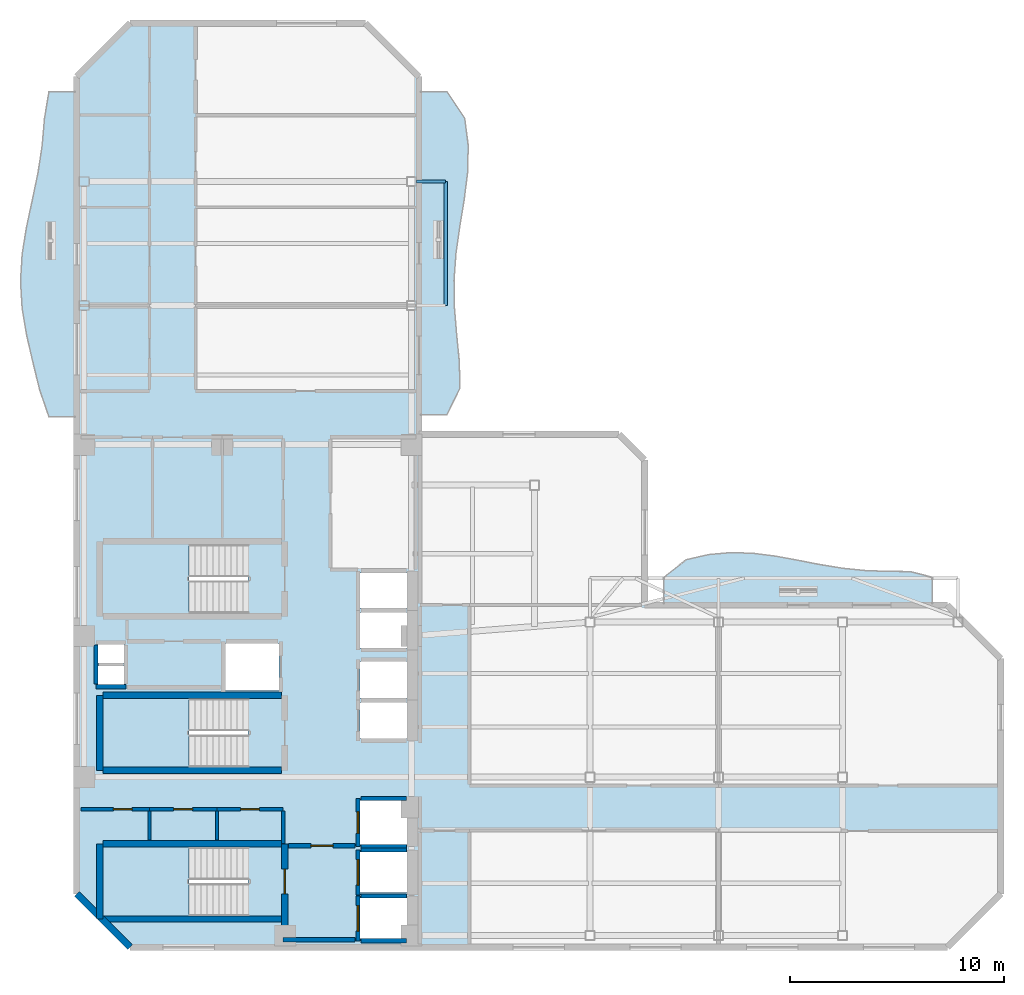
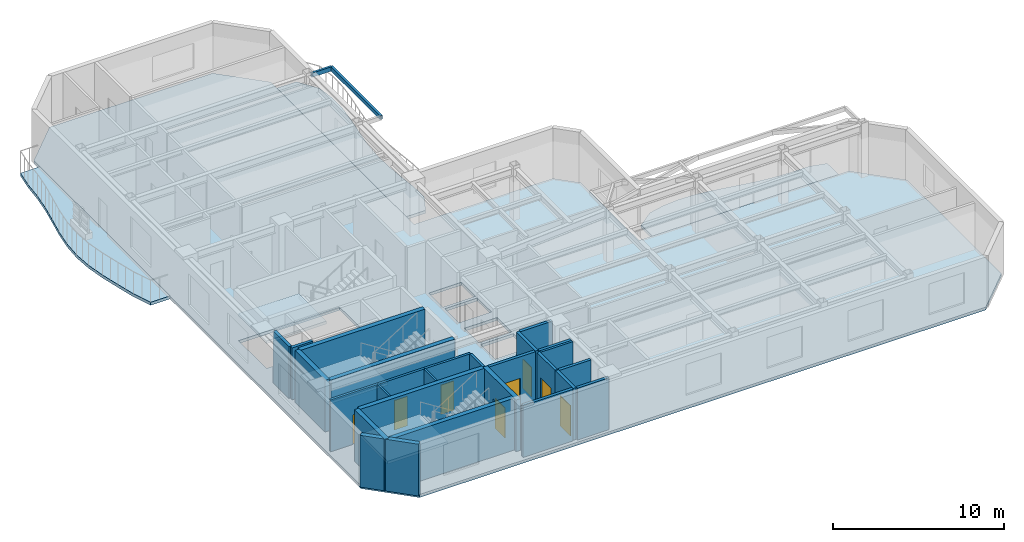
# One storey, part 2 of 8: 26 walls, 8 doors, 7 slabs, 2 beams, 8 openings, 3 elements without a shape of their own.
"""IFC4 building model written with IfcOpenShell, lengths in metres."""

from ifc_helpers import new_model, si_unit, direction, frame, frame_2d, origin, origin_2d, place, context, subcontext, project, spatial, polyline, rectangle, hollow_rectangle, outline, extrude, material, layer, layer_set, material_profile, profile_set, type_object, element, fill, aggregate, save


model = new_model("IFC4")

# Units and contexts
model_context = context("Model", 3, precision=1e-05, world=origin(), true_north=direction((0.0, 1.0)))
body_context = subcontext(model_context, "Body", "Model", "MODEL_VIEW")
ifc_project = project(units=[si_unit("LENGTHUNIT", "METRE"), si_unit("AREAUNIT", "SQUARE_METRE"), si_unit("VOLUMEUNIT", "CUBIC_METRE"), si_unit("PLANEANGLEUNIT", "RADIAN"), si_unit("MASSUNIT", "GRAM", prefix="KILO")], contexts=[model_context])

# Site, building, storey
site_placement = place(None, origin())
site = spatial("IfcSite", under=ifc_project, at=site_placement, CompositionType="ELEMENT")
building_placement = place(site_placement, origin())
building = spatial("IfcBuilding", under=site, at=building_placement, Name="Mawjaban Terraces University", CompositionType="ELEMENT")
storey_placement = place(building_placement, frame((0.0, 0.0, 191.39990234375)))
storey = spatial("IfcBuildingStorey", under=building, at=storey_placement, Name="L46", CompositionType="ELEMENT", Elevation=191.39990234375)

# Beams
ifc_material_1 = material(Name="Steel EN 10210-1 S355J2H", Category="steel")
ifc_material_profile = material_profile(ifc_material_1, hollow_rectangle(XDim=0.14990234375, YDim=0.300048828125, WallThickness=0.012451171875, at=origin_2d()), Name="RHS300X150X12.5")
ifc_profile_set = profile_set([ifc_material_profile], Name="Steel EN 10210-1 S355J2H")
beam_type = type_object("IfcBeamType", Name="BalconyCantileverSpandrel_RHS", PredefinedType="SPANDREL", material=ifc_profile_set)
beam_1_placement = place(storey_placement, frame((37.875, 35.800048828125, 3.5400390625), z_axis=(1.0, 0.0, 0.0), x_axis=(0.0, 1.0, 0.0)))
element("IfcBeam", 1, at=beam_1_placement, inside=storey, type_object=beam_type, Name="L46 Exterior Outrigger BAL-L47-E.2", PredefinedType="SPANDREL", context=body_context, shape_type="SweptSolid", body=[
    extrude(hollow_rectangle(XDim=0.14990234375, YDim=0.300048828125, WallThickness=0.012451171875, at=origin_2d()), origin(), (0.0, 0.0, 1.0), 1.375),
])
beam_2_placement = place(storey_placement, frame((39.25, 30.0, 3.5400390625), z_axis=(0.0, 1.0, 0.0), x_axis=(-1.0, 0.0, 0.0)))
element("IfcBeam", 2, at=beam_2_placement, inside=storey, type_object=beam_type, Name="L46 Exterior Edge Spandrel BAL-L47-E", PredefinedType="SPANDREL", context=body_context, shape_type="SweptSolid", body=[
    extrude(hollow_rectangle(XDim=0.14990234375, YDim=0.300048828125, WallThickness=0.012451171875, at=origin_2d()), origin(), (0.0, 0.0, 1.0), 5.800048828125),
])

# Slabs
ifc_material_2 = material(Name="Concrete C40/50", Category="concrete")
ifc_layer_1 = layer(ifc_material_2, 0.2099609375)
ifc_layer_set_1 = layer_set([ifc_layer_1], Name="Concrete C40/50")
slab_type_1 = type_object("IfcSlabType", Name="BalconySlab_210_Ext", PredefinedType="FLOOR", material=ifc_layer_set_1)
slab_1_placement = place(storey_placement, frame((0.0, 0.0, -0.2099609375)))
element("IfcSlab", 3, at=slab_1_placement, inside=storey, type_object=slab_type_1, Name="L46 Planted Balcony Slab west", PredefinedType="FLOOR", context=body_context, shape_type="SweptSolid", body=[
    extrude(outline(polyline([(22.010009765625, 24.800048828125), (22.010009765625, 40.0), (20.699951171875, 40.0), (20.489990234375, 38.73291015625), (20.382080078125, 37.467041015625), (20.18701171875, 36.199951171875), (19.923095703125, 34.93310546875), (19.65087890625, 33.6669921875), (19.447021484375, 32.39990234375), (19.37109375, 31.133056640625), (19.447998046875, 29.866943359375), (19.660888671875, 28.60009765625), (19.955078125, 27.3330078125), (20.263916015625, 26.06689453125), (20.699951171875, 24.800048828125), (22.010009765625, 24.800048828125)])), origin(), (0.0, 0.0, 1.0), 0.2099609375),
])
slab_2_placement = place(storey_placement, frame((0.0, 0.0, -0.2099609375)))
element("IfcSlab", 4, at=slab_2_placement, inside=storey, type_object=slab_type_1, Name="L46 Planted Balcony Slab inner_north", PredefinedType="FLOOR", context=body_context, shape_type="SweptSolid", body=[
    extrude(outline(polyline([(49.449951171875, 15.989990234375), (62.0, 15.989990234375), (62.0, 17.300048828125), (60.9541015625, 17.56396484375), (59.907958984375, 17.571044921875), (58.862060546875, 17.611083984375), (57.81689453125, 17.717041015625), (56.77099609375, 17.885986328125), (55.72509765625, 18.089111328125), (54.678955078125, 18.282958984375), (53.633056640625, 18.4169921875), (52.587890625, 18.451904296875), (51.5419921875, 18.35888671875), (50.49609375, 18.118896484375), (49.449951171875, 17.300048828125), (49.449951171875, 15.989990234375)])), origin(), (0.0, 0.0, 1.0), 0.2099609375),
])
slab_3_placement = place(storey_placement, frame((0.0, 0.0, -0.2099609375)))
element("IfcSlab", 5, at=slab_3_placement, inside=storey, type_object=slab_type_1, Name="L46 Planted Balcony Slab inner_east", PredefinedType="FLOOR", context=body_context, shape_type="SweptSolid", body=[
    extrude(outline(polyline([(39.300048828125, 24.887939453125), (39.916015625, 26.14697265625), (39.882080078125, 27.406982421875), (39.759033203125, 28.666015625), (39.655029296875, 29.925048828125), (39.636962890625, 31.18505859375), (39.72900390625, 32.444091796875), (39.908935546875, 33.702880859375), (40.115966796875, 34.962890625), (40.27197265625, 36.221923828125), (40.300048828125, 37.48095703125), (40.14111328125, 38.740966796875), (39.300048828125, 40.0), (37.989990234375, 40.0), (37.989990234375, 24.887939453125), (39.300048828125, 24.887939453125)])), origin(), (0.0, 0.0, 1.0), 0.2099609375),
])
ifc_layer_2 = layer(ifc_material_2, 0.2099609375)
ifc_layer_set_2 = layer_set([ifc_layer_2], Name="Concrete C40/50")
slab_type_2 = type_object("IfcSlabType", Name="CompositeSlab_210", PredefinedType="FLOOR", material=ifc_layer_set_2)
slab_4_placement = place(storey_placement, frame((0.0, 0.0, -0.2099609375)))
element("IfcSlab", 6, at=slab_4_placement, inside=storey, type_object=slab_type_2, Name="L46 Primary Structural Slab", PredefinedType="FLOOR", context=body_context, shape_type="SweptSolid", body=[
    extrude(outline(polyline([(24.5, 0.0), (62.699951171875, 0.0), (65.199951171875, 2.5), (65.199951171875, 13.5), (62.699951171875, 16.0), (48.550048828125, 16.0), (48.550048828125, 22.7880859375), (47.35009765625, 23.988037109375), (38.0, 23.988037109375), (38.0, 40.699951171875), (35.5, 43.199951171875), (24.5, 43.199951171875), (22.0, 40.699951171875), (22.0, 2.5), (24.5, 0.0)]), holes=[polyline([(30.014892578125, 4.699951171875), (23.199951171875, 4.699951171875), (23.199951171875, 1.449951171875), (30.014892578125, 1.449951171875), (30.014892578125, 4.699951171875)]), polyline([(30.014892578125, 18.85009765625), (23.199951171875, 18.85009765625), (23.199951171875, 15.60009765625), (30.014892578125, 15.60009765625), (30.014892578125, 18.85009765625)]), polyline([(30.014892578125, 11.64990234375), (23.199951171875, 11.64990234375), (23.199951171875, 8.39990234375), (30.014892578125, 8.39990234375), (30.014892578125, 11.64990234375)]), polyline([(35.25, 0.39990234375), (37.449951171875, 0.39990234375), (37.449951171875, 2.300048828125), (35.25, 2.300048828125), (35.25, 0.39990234375)]), polyline([(35.25, 2.550048828125), (37.449951171875, 2.550048828125), (37.449951171875, 4.449951171875), (35.25, 4.449951171875), (35.25, 2.550048828125)]), polyline([(35.25, 4.800048828125), (37.449951171875, 4.800048828125), (37.449951171875, 6.85009765625), (35.25, 6.85009765625), (35.25, 4.800048828125)]), polyline([(35.25, 9.75), (37.449951171875, 9.75), (37.449951171875, 11.449951171875), (35.25, 11.449951171875), (35.25, 9.75)]), polyline([(35.25, 11.64990234375), (37.449951171875, 11.64990234375), (37.449951171875, 13.35009765625), (35.25, 13.35009765625), (35.25, 11.64990234375)]), polyline([(28.949951171875, 12.0), (31.449951171875, 12.0), (31.449951171875, 14.199951171875), (28.949951171875, 14.199951171875), (28.949951171875, 12.0)]), polyline([(35.25, 14.0), (37.449951171875, 14.0), (37.449951171875, 15.64990234375), (35.25, 15.64990234375), (35.25, 14.0)]), polyline([(35.25, 15.85009765625), (37.449951171875, 15.85009765625), (37.449951171875, 17.5), (35.25, 17.5), (35.25, 15.85009765625)]), polyline([(23.0, 12.25), (24.199951171875, 12.25), (24.199951171875, 13.14990234375), (23.0, 13.14990234375), (23.0, 12.25)]), polyline([(23.0, 13.300048828125), (24.199951171875, 13.300048828125), (24.199951171875, 14.179931640625), (23.0, 14.179931640625), (23.0, 13.300048828125)])]), origin(), (0.0, 0.0, 1.0), 0.2099609375),
])

# Stair, slab
stair_type = type_object("IfcStairType", Name="Stair_Core1550_H39", PredefinedType="HALF_TURN_STAIR", material=ifc_material_2)
stair_1_placement = place(storey_placement, origin())
stair_1 = element("IfcStair", 7, at=stair_1_placement, inside=storey, type_object=stair_type, Name="L46 Core Exit Stair 1", PredefinedType="HALF_TURN_STAIR")
ifc_layer_3 = layer(ifc_material_2, 0.199951171875)
ifc_layer_set_3 = layer_set([ifc_layer_3], Name="Concrete C40/50")
slab_type_3 = type_object("IfcSlabType", Name="StairLandingSlab_200", PredefinedType="LANDING", material=ifc_layer_set_3)
slab_5_placement = place(storey_placement, frame((0.0, 0.0, 1.75)))
slab_5 = element("IfcSlab", 8, at=slab_5_placement, type_object=slab_type_3, Name="ST-1 landing 1", PredefinedType="LANDING", context=body_context, shape_type="SweptSolid", body=[
    extrude(outline(polyline([(27.25, 4.699951171875), (23.199951171875, 4.699951171875), (23.199951171875, 1.449951171875), (27.25, 1.449951171875), (27.25, 4.699951171875)])), origin(), (0.0, 0.0, 1.0), 0.2001953125),
])
aggregate(stair_1, [slab_5])

stair_2_placement = place(storey_placement, origin())
stair_2 = element("IfcStair", 9, at=stair_2_placement, inside=storey, type_object=stair_type, Name="L46 Core Exit Stair 2", PredefinedType="HALF_TURN_STAIR")
slab_6_placement = place(storey_placement, frame((0.0, 0.0, 1.75)))
slab_6 = element("IfcSlab", 10, at=slab_6_placement, type_object=slab_type_3, Name="ST-2 landing 1", PredefinedType="LANDING", context=body_context, shape_type="SweptSolid", body=[
    extrude(outline(polyline([(27.25, 18.85009765625), (23.199951171875, 18.85009765625), (23.199951171875, 15.60009765625), (27.25, 15.60009765625), (27.25, 18.85009765625)])), origin(), (0.0, 0.0, 1.0), 0.2001953125),
])
aggregate(stair_2, [slab_6])

stair_3_placement = place(storey_placement, origin())
stair_3 = element("IfcStair", 11, at=stair_3_placement, inside=storey, type_object=stair_type, Name="L46 Core Exit Stair 3", PredefinedType="HALF_TURN_STAIR")
slab_7_placement = place(storey_placement, frame((0.0, 0.0, 1.75)))
slab_7 = element("IfcSlab", 12, at=slab_7_placement, type_object=slab_type_3, Name="ST-3 landing 1", PredefinedType="LANDING", context=body_context, shape_type="SweptSolid", body=[
    extrude(outline(polyline([(27.25, 11.64990234375), (23.199951171875, 11.64990234375), (23.199951171875, 8.39990234375), (27.25, 8.39990234375), (27.25, 11.64990234375)])), origin(), (0.0, 0.0, 1.0), 0.2001953125),
])
aggregate(stair_3, [slab_7])

# Wall, opening, door
ifc_material_3 = material(Name="Fire-rated gypsum board on steel stud", Category="steel")
ifc_layer_4 = layer(ifc_material_3, 0.159912109375)
ifc_layer_set_4 = layer_set([ifc_layer_4], Name="Fire-rated gypsum board on steel stud")
wall_type_1 = type_object("IfcWallType", Name="CorridorPartition_160", PredefinedType="PARTITIONING", material=ifc_layer_set_4)
wall_1_placement = place(storey_placement, frame((22.199951171875, 6.449951171875, 0.0), z_axis=(0.0, 0.0, 1.0), x_axis=(1.0, 0.0, 0.0)))
wall_1 = element("IfcWall", 13, at=wall_1_placement, inside=storey, type_object=wall_type_1, Name="L46 Core Washroom Lobby Partition 1", PredefinedType="PARTITIONING", context=body_context, shape_type="SweptSolid", body=[
    extrude(rectangle(XDim=3.199951171875, YDim=0.159912109375, at=frame_2d((1.60009765625, 0.0))), origin(), (0.0, 0.0, 1.0), 3.690185546875),
])
opening_1_placement = place(wall_1_placement, frame((1.510009765625, 0.0, 0.0)))
opening_1 = element("IfcOpeningElement", 14, at=opening_1_placement, cuts=wall_1, Name="Opening ID-088", PredefinedType="OPENING", context=body_context, shape_type="SweptSolid", body=[
    extrude(rectangle(XDim=0.8798828125, YDim=2.10009765625, at=frame_2d((0.43994140625, 1.050048828125))), frame((0.0, 0.08984375, 0.0), z_axis=(0.0, -1.0, 0.0), x_axis=(1.0, 0.0, 0.0)), (0.0, 0.0, 1.0), 0.179931640625),
])
ifc_material_4 = material(Name="Powder-coated steel frame and solid acoustic timber leaf", Category="steel")
door_type_1 = type_object("IfcDoorType", Name="ToiletDoor_880x2100", OperationType="NOTDEFINED", PredefinedType="DOOR", material=ifc_material_4)
door_1_placement = place(opening_1_placement, origin())
door_1 = element("IfcDoor", 15, at=door_1_placement, inside=storey, type_object=door_type_1, Name="L46 Male Toilet Door", OperationType="SINGLE_SWING_RIGHT", OverallHeight=2.10009765625, OverallWidth=0.8798828125, PredefinedType="DOOR", context=body_context, shape_type="SweptSolid", body=[
    extrude(rectangle(XDim=0.8798828125, YDim=2.10009765625, at=frame_2d((0.43994140625, 1.050048828125))), frame((0.0, 0.02490234375, 0.0), z_axis=(0.0, -1.0, 0.0), x_axis=(1.0, 0.0, 0.0)), (0.0, 0.0, 1.0), 0.050048828125),
])
fill(opening_1, door_1)

wall_2_placement = place(storey_placement, frame((25.39990234375, 6.449951171875, 0.0), z_axis=(0.0, 0.0, 1.0), x_axis=(1.0, 0.0, 0.0)))
wall_2 = element("IfcWall", 16, at=wall_2_placement, inside=storey, type_object=wall_type_1, Name="L46 Core Washroom Lobby Partition 4", PredefinedType="PARTITIONING", context=body_context, shape_type="SweptSolid", body=[
    extrude(rectangle(XDim=3.150146484375, YDim=0.159912109375, at=frame_2d((1.5751953125, 0.0))), origin(), (0.0, 0.0, 1.0), 3.690185546875),
])
opening_2_placement = place(wall_2_placement, frame((1.135009765625, 0.0, 0.0)))
opening_2 = element("IfcOpeningElement", 17, at=opening_2_placement, cuts=wall_2, Name="Opening ID-088", PredefinedType="OPENING", context=body_context, shape_type="SweptSolid", body=[
    extrude(rectangle(XDim=0.8798828125, YDim=2.10009765625, at=frame_2d((0.43994140625, 1.050048828125))), frame((0.0, 0.08984375, 0.0), z_axis=(0.0, -1.0, 0.0), x_axis=(1.0, 0.0, 0.0)), (0.0, 0.0, 1.0), 0.179931640625),
])
door_2_placement = place(opening_2_placement, origin())
door_2 = element("IfcDoor", 18, at=door_2_placement, inside=storey, type_object=door_type_1, Name="L46 Female Toilet Door", OperationType="SINGLE_SWING_LEFT", OverallHeight=2.10009765625, OverallWidth=0.8798828125, PredefinedType="DOOR", context=body_context, shape_type="SweptSolid", body=[
    extrude(rectangle(XDim=0.8798828125, YDim=2.10009765625, at=frame_2d((0.43994140625, 1.050048828125))), frame((0.0, 0.02490234375, 0.0), z_axis=(0.0, -1.0, 0.0), x_axis=(1.0, 0.0, 0.0)), (0.0, 0.0, 1.0), 0.050048828125),
])
fill(opening_2, door_2)

wall_3_placement = place(storey_placement, frame((28.550048828125, 6.449951171875, 0.0), z_axis=(0.0, 0.0, 1.0), x_axis=(1.0, 0.0, 0.0)))
wall_3 = element("IfcWall", 19, at=wall_3_placement, inside=storey, type_object=wall_type_1, Name="L46 Core Washroom Lobby Partition 10", PredefinedType="PARTITIONING", context=body_context, shape_type="SweptSolid", body=[
    extrude(rectangle(XDim=3.099853515625, YDim=0.159912109375, at=frame_2d((1.5498046875, 0.0))), origin(), (0.0, 0.0, 1.0), 3.690185546875),
])
opening_3_placement = place(wall_3_placement, frame((1.110107421875, 0.0, 0.0)))
opening_3 = element("IfcOpeningElement", 20, at=opening_3_placement, cuts=wall_3, Name="Opening ID-088", PredefinedType="OPENING", context=body_context, shape_type="SweptSolid", body=[
    extrude(rectangle(XDim=0.8798828125, YDim=2.10009765625, at=frame_2d((0.43994140625, 1.050048828125))), frame((0.0, 0.08984375, 0.0), z_axis=(0.0, -1.0, 0.0), x_axis=(1.0, 0.0, 0.0)), (0.0, 0.0, 1.0), 0.179931640625),
])
door_3_placement = place(opening_3_placement, origin())
door_3 = element("IfcDoor", 21, at=door_3_placement, inside=storey, type_object=door_type_1, Name="L46 Accessible Toilet Door", OperationType="SINGLE_SWING_RIGHT", OverallHeight=2.10009765625, OverallWidth=0.8798828125, PredefinedType="DOOR", context=body_context, shape_type="SweptSolid", body=[
    extrude(rectangle(XDim=0.8798828125, YDim=2.10009765625, at=frame_2d((0.43994140625, 1.050048828125))), frame((0.0, 0.02490234375, 0.0), z_axis=(0.0, -1.0, 0.0), x_axis=(1.0, 0.0, 0.0)), (0.0, 0.0, 1.0), 0.050048828125),
])
fill(opening_3, door_3)

# Walls
wall_4_placement = place(storey_placement, frame((31.64990234375, 4.860107421875, 0.0), z_axis=(0.0, 0.0, 1.0), x_axis=(0.0, 1.0, 0.0)))
element("IfcWall", 22, at=wall_4_placement, inside=storey, type_object=wall_type_1, Name="L46 Accessible Toilet Partition 41", PredefinedType="PARTITIONING", context=body_context, shape_type="SweptSolid", body=[
    extrude(rectangle(XDim=1.514892578125, YDim=0.159912109375, at=frame_2d((0.75732421875, 0.0))), origin(), (0.0, 0.0, 1.0), 3.690185546875),
])
ifc_material_5 = material(Name="Insulated terracotta rainscreen on concrete backup C40/50", Category="masonry")
ifc_layer_5 = layer(ifc_material_5, 0.300048828125)
ifc_layer_set_5 = layer_set([ifc_layer_5], Name="Insulated terracotta rainscreen on concrete backup C40/50")
wall_type_2 = type_object("IfcWallType", Name="ExtTerracottaWall_300", PredefinedType="SOLIDWALL", material=ifc_layer_set_5)
wall_5_placement = place(storey_placement, frame((22.0, 2.5, 0.0), z_axis=(0.0, 0.0, 1.0), x_axis=(0.707106781187, -0.707106781187, 0.0)))
element("IfcWall", 23, at=wall_5_placement, inside=storey, type_object=wall_type_2, Name="L46 Exterior Terracotta Wall 14", PredefinedType="SOLIDWALL", context=body_context, shape_type="SweptSolid", body=[
    extrude(rectangle(XDim=3.53564453125, YDim=0.300048828125, at=frame_2d((1.767822265625, 0.0))), origin(), (0.0, 0.0, 1.0), 3.690185546875),
])

# Wall, opening, door
ifc_layer_6 = layer(ifc_material_2, 0.199951171875)
ifc_layer_set_6 = layer_set([ifc_layer_6], Name="Concrete C40/50")
wall_type_3 = type_object("IfcWallType", Name="FireLobbyWall_200", PredefinedType="SOLIDWALL", material=ifc_layer_set_6)
wall_6_placement = place(storey_placement, frame((35.14990234375, 2.39990234375, 0.0), z_axis=(0.0, 0.0, 1.0), x_axis=(0.0, -1.0, 0.0)))
wall_6 = element("IfcWall", 24, at=wall_6_placement, inside=storey, type_object=wall_type_3, Name="L46 Lift FL-1 Hoistway Wall West", PredefinedType="SOLIDWALL", context=body_context, shape_type="SweptSolid", body=[
    extrude(rectangle(XDim=2.099853515625, YDim=0.199951171875, at=frame_2d((1.0498046875, 0.0))), origin(), (0.0, 0.0, 1.0), 3.690185546875),
])
opening_4_placement = place(wall_6_placement, frame((0.449951171875, 0.0, 0.0)))
opening_4 = element("IfcOpeningElement", 25, at=opening_4_placement, cuts=wall_6, Name="Opening LD-FL-1", PredefinedType="OPENING", context=body_context, shape_type="SweptSolid", body=[
    extrude(rectangle(XDim=1.199951171875, YDim=2.14990234375, at=frame_2d((0.60009765625, 1.074951171875))), frame((0.0, 0.10986328125, 0.0), z_axis=(0.0, -1.0, 0.0), x_axis=(1.0, 0.0, 0.0)), (0.0, 0.0, 1.0), 0.219970703125),
])
ifc_material_6 = material(Name="Powder-coated steel frame and fire-rated steel-faced leaf", Category="steel")
door_type_2 = type_object("IfcDoorType", Name="LiftLandingFSAE_1200x2150", OperationType="NOTDEFINED", PredefinedType="DOOR", material=ifc_material_6)
door_4_placement = place(opening_4_placement, origin())
door_4 = element("IfcDoor", 26, at=door_4_placement, inside=storey, type_object=door_type_2, Name="L46 Lift FL-1 Sliding Landing Door", OperationType="DOUBLE_DOOR_SLIDING", OverallHeight=2.14990234375, OverallWidth=1.199951171875, PredefinedType="DOOR", context=body_context, shape_type="SweptSolid", body=[
    extrude(rectangle(XDim=1.199951171875, YDim=2.14990234375, at=frame_2d((0.60009765625, 1.074951171875))), frame((0.0, 0.02490234375, 0.0), z_axis=(0.0, -1.0, 0.0), x_axis=(1.0, 0.0, 0.0)), (0.0, 0.0, 1.0), 0.050048828125),
])
fill(opening_4, door_4)

# Walls
for number, where, z_axis, x_axis, name in (
    (27, (35.280029296875, 0.300048828125, 0.0), (0.0, 0.0, 1.0), (1.0, 0.0, 0.0), "L46 Lift FL-1 Hoistway Wall South"),
    (28, (37.419921875, 2.39990234375, 0.0), (0.0, 0.0, 1.0), (-1.0, 0.0, 0.0), "L46 Lift FL-1 Hoistway Wall North"),
):
    element("IfcWall", number, at=place(storey_placement, frame(where, z_axis=z_axis, x_axis=x_axis)), inside=storey, type_object=wall_type_3, Name=name, PredefinedType="SOLIDWALL", context=body_context, shape_type="SweptSolid", body=[
        extrude(rectangle(XDim=2.139892578125, YDim=0.199951171875, at=frame_2d((1.06982421875, 0.0))), origin(), (0.0, 0.0, 1.0), 3.690185546875),
    ])

# Wall, opening, door
wall_7_placement = place(storey_placement, frame((35.14990234375, 4.550048828125, 0.0), z_axis=(0.0, 0.0, 1.0), x_axis=(0.0, -1.0, 0.0)))
wall_7 = element("IfcWall", 29, at=wall_7_placement, inside=storey, type_object=wall_type_3, Name="L46 Lift FL-2 Hoistway Wall West", PredefinedType="SOLIDWALL", context=body_context, shape_type="SweptSolid", body=[
    extrude(rectangle(XDim=2.10009765625, YDim=0.199951171875, at=frame_2d((1.050048828125, 0.0))), origin(), (0.0, 0.0, 1.0), 3.690185546875),
])
opening_5_placement = place(wall_7_placement, frame((0.449951171875, 0.0, 0.0)))
opening_5 = element("IfcOpeningElement", 30, at=opening_5_placement, cuts=wall_7, Name="Opening LD-FL-2", PredefinedType="OPENING", context=body_context, shape_type="SweptSolid", body=[
    extrude(rectangle(XDim=1.199951171875, YDim=2.14990234375, at=frame_2d((0.60009765625, 1.074951171875))), frame((0.0, 0.10986328125, 0.0), z_axis=(0.0, -1.0, 0.0), x_axis=(1.0, 0.0, 0.0)), (0.0, 0.0, 1.0), 0.219970703125),
])
door_5_placement = place(opening_5_placement, origin())
door_5 = element("IfcDoor", 31, at=door_5_placement, inside=storey, type_object=door_type_2, Name="L46 Lift FL-2 Sliding Landing Door", OperationType="DOUBLE_DOOR_SLIDING", OverallHeight=2.14990234375, OverallWidth=1.199951171875, PredefinedType="DOOR", context=body_context, shape_type="SweptSolid", body=[
    extrude(rectangle(XDim=1.199951171875, YDim=2.14990234375, at=frame_2d((0.60009765625, 1.074951171875))), frame((0.0, 0.02490234375, 0.0), z_axis=(0.0, -1.0, 0.0), x_axis=(1.0, 0.0, 0.0)), (0.0, 0.0, 1.0), 0.050048828125),
])
fill(opening_5, door_5)

# Wall
wall_8_placement = place(storey_placement, frame((37.419921875, 4.550048828125, 0.0), z_axis=(0.0, 0.0, 1.0), x_axis=(-1.0, 0.0, 0.0)))
element("IfcWall", 32, at=wall_8_placement, inside=storey, type_object=wall_type_3, Name="L46 Lift FL-2 Hoistway Wall North", PredefinedType="SOLIDWALL", context=body_context, shape_type="SweptSolid", body=[
    extrude(rectangle(XDim=2.139892578125, YDim=0.199951171875, at=frame_2d((1.06982421875, 0.0))), origin(), (0.0, 0.0, 1.0), 3.690185546875),
])

# Wall, opening, door
wall_9_placement = place(storey_placement, frame((35.14990234375, 6.949951171875, 0.0), z_axis=(0.0, 0.0, 1.0), x_axis=(0.0, -1.0, 0.0)))
wall_9 = element("IfcWall", 33, at=wall_9_placement, inside=storey, type_object=wall_type_3, Name="L46 Lift SL-1 Hoistway Wall West", PredefinedType="SOLIDWALL", context=body_context, shape_type="SweptSolid", body=[
    extrude(rectangle(XDim=2.25, YDim=0.199951171875, at=frame_2d((1.125, 0.0))), origin(), (0.0, 0.0, 1.0), 3.690185546875),
])
opening_6_placement = place(wall_9_placement, frame((0.625, 0.0, 0.0)))
opening_6 = element("IfcOpeningElement", 34, at=opening_6_placement, cuts=wall_9, Name="Opening LD-SL-1", PredefinedType="OPENING", context=body_context, shape_type="SweptSolid", body=[
    extrude(rectangle(XDim=1.0, YDim=2.10009765625, at=frame_2d((0.5, 1.050048828125))), frame((0.0, 0.10986328125, 0.0), z_axis=(0.0, -1.0, 0.0), x_axis=(1.0, 0.0, 0.0)), (0.0, 0.0, 1.0), 0.219970703125),
])
door_type_3 = type_object("IfcDoorType", Name="LiftLandingSliding_1000x2100", OperationType="NOTDEFINED", PredefinedType="DOOR", material=ifc_material_6)
door_6_placement = place(opening_6_placement, origin())
door_6 = element("IfcDoor", 35, at=door_6_placement, inside=storey, type_object=door_type_3, Name="L46 Lift SL-1 Sliding Landing Door", OperationType="DOUBLE_DOOR_SLIDING", OverallHeight=2.10009765625, OverallWidth=1.0, PredefinedType="DOOR", context=body_context, shape_type="SweptSolid", body=[
    extrude(rectangle(XDim=1.0, YDim=2.10009765625, at=frame_2d((0.5, 1.050048828125))), frame((0.0, 0.02490234375, 0.0), z_axis=(0.0, -1.0, 0.0), x_axis=(1.0, 0.0, 0.0)), (0.0, 0.0, 1.0), 0.050048828125),
])
fill(opening_6, door_6)

# Walls
for number, where, z_axis, x_axis, name in (
    (36, (35.280029296875, 4.699951171875, 0.0), (0.0, 0.0, 1.0), (1.0, 0.0, 0.0), "L46 Lift SL-1 Hoistway Wall South"),
    (37, (37.419921875, 6.949951171875, 0.0), (0.0, 0.0, 1.0), (-1.0, 0.0, 0.0), "L46 Lift SL-1 Hoistway Wall North"),
):
    element("IfcWall", number, at=place(storey_placement, frame(where, z_axis=z_axis, x_axis=x_axis)), inside=storey, type_object=wall_type_3, Name=name, PredefinedType="SOLIDWALL", context=body_context, shape_type="SweptSolid", body=[
        extrude(rectangle(XDim=2.139892578125, YDim=0.199951171875, at=frame_2d((1.06982421875, 0.0))), origin(), (0.0, 0.0, 1.0), 3.690185546875),
    ])
wall_10_placement = place(storey_placement, frame((22.89990234375, 12.179931640625, 0.0), z_axis=(0.0, 0.0, 1.0), x_axis=(1.0, 0.0, 0.0)))
element("IfcWall", 38, at=wall_10_placement, inside=storey, type_object=wall_type_3, Name="L46 MEP Riser Shaft Wall S", PredefinedType="SOLIDWALL", context=body_context, shape_type="SweptSolid", body=[
    extrude(rectangle(XDim=1.400146484375, YDim=0.199951171875, at=frame_2d((0.7001953125, 0.0))), origin(), (0.0, 0.0, 1.0), 3.690185546875),
])
wall_11_placement = place(storey_placement, frame((22.89990234375, 12.300048828125, 0.0), z_axis=(0.0, 0.0, 1.0), x_axis=(0.0, 1.0, 0.0)))
element("IfcWall", 39, at=wall_11_placement, inside=storey, type_object=wall_type_3, Name="L46 MEP Riser Shaft Wall W", PredefinedType="SOLIDWALL", context=body_context, shape_type="SweptSolid", body=[
    extrude(rectangle(XDim=1.829833984375, YDim=0.199951171875, at=frame_2d((0.9150390625, 0.0))), origin(), (0.0, 0.0, 1.0), 3.690185546875),
])
wall_12_placement = place(storey_placement, frame((31.64990234375, 0.35009765625, 0.0), z_axis=(0.0, 0.0, 1.0), x_axis=(1.0, 0.0, 0.0)))
element("IfcWall", 40, at=wall_12_placement, inside=storey, type_object=wall_type_3, Name="L46 Firefighting Lift Lobby Partition 12", PredefinedType="SOLIDWALL", context=body_context, shape_type="SweptSolid", body=[
    extrude(rectangle(XDim=3.3701171875, YDim=0.199951171875, at=frame_2d((1.68505859375, 0.0))), origin(), (0.0, 0.0, 1.0), 3.690185546875),
])

# Wall, opening, door
wall_13_placement = place(storey_placement, frame((35.02001953125, 4.75, 0.0), z_axis=(0.0, 0.0, 1.0), x_axis=(-1.0, 0.0, 0.0)))
wall_13 = element("IfcWall", 41, at=wall_13_placement, inside=storey, type_object=wall_type_3, Name="L46 Firefighting Lift Lobby Partition 15", PredefinedType="SOLIDWALL", context=body_context, shape_type="SweptSolid", body=[
    extrude(rectangle(XDim=3.110107421875, YDim=0.199951171875, at=frame_2d((1.55517578125, 0.0))), origin(), (0.0, 0.0, 1.0), 3.690185546875),
])
opening_7_placement = place(wall_13_placement, frame((1.030029296875, 0.0, 0.0)))
opening_7 = element("IfcOpeningElement", 42, at=opening_7_placement, cuts=wall_13, Name="Opening FD-105", PredefinedType="OPENING", context=body_context, shape_type="SweptSolid", body=[
    extrude(rectangle(XDim=1.050048828125, YDim=2.14990234375, at=frame_2d((0.52490234375, 1.074951171875))), frame((0.0, 0.10986328125, 0.0), z_axis=(0.0, -1.0, 0.0), x_axis=(1.0, 0.0, 0.0)), (0.0, 0.0, 1.0), 0.219970703125),
])
door_type_4 = type_object("IfcDoorType", Name="FireLobbyDoor_1050x2150", OperationType="NOTDEFINED", PredefinedType="DOOR", material=ifc_material_6)
door_7_placement = place(opening_7_placement, origin())
door_7 = element("IfcDoor", 43, at=door_7_placement, inside=storey, type_object=door_type_4, Name="L46 Firefighting Lift Lobby Door", OperationType="SINGLE_SWING_LEFT", OverallHeight=2.14990234375, OverallWidth=1.050048828125, PredefinedType="DOOR", context=body_context, shape_type="SweptSolid", body=[
    extrude(rectangle(XDim=1.050048828125, YDim=2.14990234375, at=frame_2d((0.52490234375, 1.074951171875))), frame((0.0, 0.02490234375, 0.0), z_axis=(0.0, -1.0, 0.0), x_axis=(1.0, 0.0, 0.0)), (0.0, 0.0, 1.0), 0.050048828125),
])
fill(opening_7, door_7)

# Walls
ifc_material_7 = material(Name="Concrete C60/75", Category="concrete")
ifc_layer_7 = layer(ifc_material_7, 0.300048828125)
ifc_layer_set_7 = layer_set([ifc_layer_7], Name="Concrete C60/75")
wall_type_4 = type_object("IfcWallType", Name="StairShaftWall_300", PredefinedType="SHEAR", material=ifc_layer_set_7)
wall_14_placement = place(storey_placement, frame((31.580078125, 4.830078125, 0.0), z_axis=(0.0, 0.0, 1.0), x_axis=(-1.0, 0.0, 0.0)))
element("IfcWall", 44, at=wall_14_placement, inside=storey, type_object=wall_type_4, Name="L46 ST-1 Stair Shaft Wall 1", PredefinedType="SHEAR", context=body_context, shape_type="SweptSolid", body=[
    extrude(rectangle(XDim=8.360107421875, YDim=0.300048828125, at=frame_2d((4.18017578125, 0.0))), origin(), (0.0, 0.0, 1.0), 3.690185546875),
])
wall_15_placement = place(storey_placement, frame((23.070068359375, 4.830078125, 0.0), z_axis=(0.0, 0.0, 1.0), x_axis=(0.0, -1.0, 0.0)))
element("IfcWall", 45, at=wall_15_placement, inside=storey, type_object=wall_type_4, Name="L46 ST-1 Stair Shaft Wall 2", PredefinedType="SHEAR", context=body_context, shape_type="SweptSolid", body=[
    extrude(rectangle(XDim=3.510009765625, YDim=0.300048828125, at=frame_2d((1.7548828125, 0.0))), origin(), (0.0, 0.0, 1.0), 3.690185546875),
])
wall_16_placement = place(storey_placement, frame((23.219970703125, 1.320068359375, 0.0), z_axis=(0.0, 0.0, 1.0), x_axis=(1.0, 0.0, 0.0)))
element("IfcWall", 46, at=wall_16_placement, inside=storey, type_object=wall_type_4, Name="L46 ST-1 Stair Shaft Wall 3", PredefinedType="SHEAR", context=body_context, shape_type="SweptSolid", body=[
    extrude(rectangle(XDim=8.360107421875, YDim=0.300048828125, at=frame_2d((4.18017578125, 0.0))), origin(), (0.0, 0.0, 1.0), 3.690185546875),
])

# Wall, opening, door
wall_17_placement = place(storey_placement, frame((31.72998046875, 0.9599609375, 0.0), z_axis=(0.0, 0.0, 1.0), x_axis=(0.0, 1.0, 0.0)))
wall_17 = element("IfcWall", 47, at=wall_17_placement, inside=storey, type_object=wall_type_4, Name="L46 ST-1 Stair Shaft Wall 4", PredefinedType="SHEAR", context=body_context, shape_type="SweptSolid", body=[
    extrude(rectangle(XDim=3.8701171875, YDim=0.300048828125, at=frame_2d((1.93505859375, 0.0))), origin(), (0.0, 0.0, 1.0), 3.690185546875),
])
opening_8_placement = place(wall_17_placement, frame((1.5400390625, 0.0, 0.0)))
opening_8 = element("IfcOpeningElement", 48, at=opening_8_placement, cuts=wall_17, Name="Opening FD-115", PredefinedType="OPENING", context=body_context, shape_type="SweptSolid", body=[
    extrude(rectangle(XDim=1.14990234375, YDim=2.14990234375, at=frame_2d((0.574951171875, 1.074951171875))), frame((0.0, 0.159912109375, 0.0), z_axis=(0.0, -1.0, 0.0), x_axis=(1.0, 0.0, 0.0)), (0.0, 0.0, 1.0), 0.320068359375),
])
door_type_5 = type_object("IfcDoorType", Name="FireStairDoor_1150x2150", OperationType="NOTDEFINED", PredefinedType="DOOR", material=ifc_material_6)
door_8_placement = place(opening_8_placement, origin())
door_8 = element("IfcDoor", 49, at=door_8_placement, inside=storey, type_object=door_type_5, Name="L46 ST-1 Pressurised Stair Fire Door", OperationType="SINGLE_SWING_RIGHT", OverallHeight=2.14990234375, OverallWidth=1.14990234375, PredefinedType="DOOR", context=body_context, shape_type="SweptSolid", body=[
    extrude(rectangle(XDim=1.14990234375, YDim=2.14990234375, at=frame_2d((0.574951171875, 1.074951171875))), frame((0.0, 0.02490234375, 0.0), z_axis=(0.0, -1.0, 0.0), x_axis=(1.0, 0.0, 0.0)), (0.0, 0.0, 1.0), 0.050048828125),
])
fill(opening_8, door_8)

# Walls
wall_18_placement = place(storey_placement, frame((31.580078125, 11.780029296875, 0.0), z_axis=(0.0, 0.0, 1.0), x_axis=(-1.0, 0.0, 0.0)))
element("IfcWall", 50, at=wall_18_placement, inside=storey, type_object=wall_type_4, Name="L46 ST-3 Stair Shaft Wall 1", PredefinedType="SHEAR", context=body_context, shape_type="SweptSolid", body=[
    extrude(rectangle(XDim=8.360107421875, YDim=0.300048828125, at=frame_2d((4.18017578125, 0.0))), origin(), (0.0, 0.0, 1.0), 3.690185546875),
])
wall_19_placement = place(storey_placement, frame((23.070068359375, 11.780029296875, 0.0), z_axis=(0.0, 0.0, 1.0), x_axis=(0.0, -1.0, 0.0)))
element("IfcWall", 51, at=wall_19_placement, inside=storey, type_object=wall_type_4, Name="L46 ST-3 Stair Shaft Wall 2", PredefinedType="SHEAR", context=body_context, shape_type="SweptSolid", body=[
    extrude(rectangle(XDim=3.510009765625, YDim=0.300048828125, at=frame_2d((1.7548828125, 0.0))), origin(), (0.0, 0.0, 1.0), 3.690185546875),
])
wall_20_placement = place(storey_placement, frame((23.219970703125, 8.27001953125, 0.0), z_axis=(0.0, 0.0, 1.0), x_axis=(1.0, 0.0, 0.0)))
element("IfcWall", 52, at=wall_20_placement, inside=storey, type_object=wall_type_4, Name="L46 ST-3 Stair Shaft Wall 3", PredefinedType="SHEAR", context=body_context, shape_type="SweptSolid", body=[
    extrude(rectangle(XDim=8.360107421875, YDim=0.300048828125, at=frame_2d((4.18017578125, 0.0))), origin(), (0.0, 0.0, 1.0), 3.690185546875),
])
ifc_material_8 = material(Name="Cement-board wet-room partition", Category="masonry")
ifc_layer_8 = layer(ifc_material_8, 0.135009765625)
ifc_layer_set_8 = layer_set([ifc_layer_8], Name="Cement-board wet-room partition")
wall_type_5 = type_object("IfcWallType", Name="WetRoomPartition_135", PredefinedType="PARTITIONING", material=ifc_layer_set_8)
for number, where, z_axis, x_axis, name in (
    (53, (25.39990234375, 5.010009765625, 0.0), (0.0, 0.0, 1.0), (0.0, 1.0, 0.0), "L46 Male Toilet Partition 29"),
    (54, (28.550048828125, 5.010009765625, 0.0), (0.0, 0.0, 1.0), (0.0, 1.0, 0.0), "L46 Female Toilet Partition 39"),
):
    element("IfcWall", number, at=place(storey_placement, frame(where, z_axis=z_axis, x_axis=x_axis)), inside=storey, type_object=wall_type_5, Name=name, PredefinedType="PARTITIONING", context=body_context, shape_type="SweptSolid", body=[
        extrude(rectangle(XDim=1.364990234375, YDim=0.135009765625, at=frame_2d((0.6826171875, 0.0))), origin(), (0.0, 0.0, 1.0), 3.690185546875),
    ])

save(model, "model.ifc")
